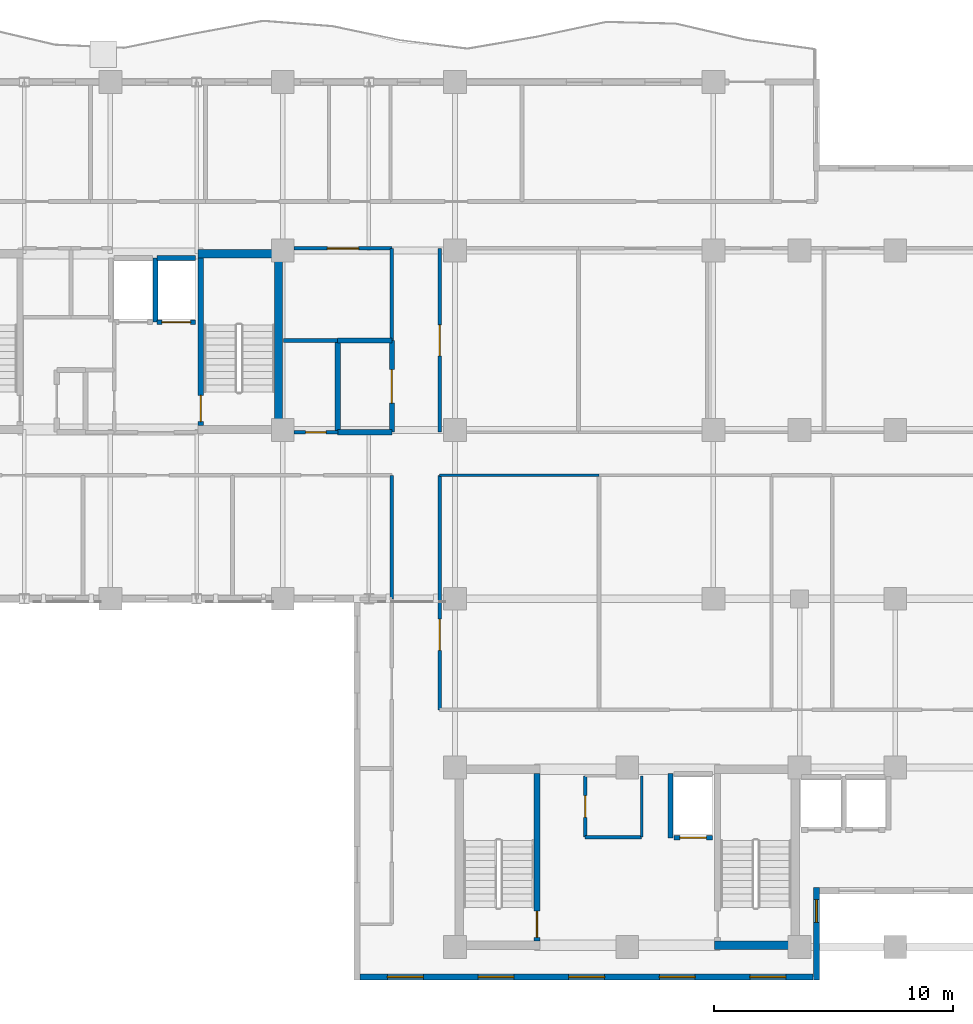
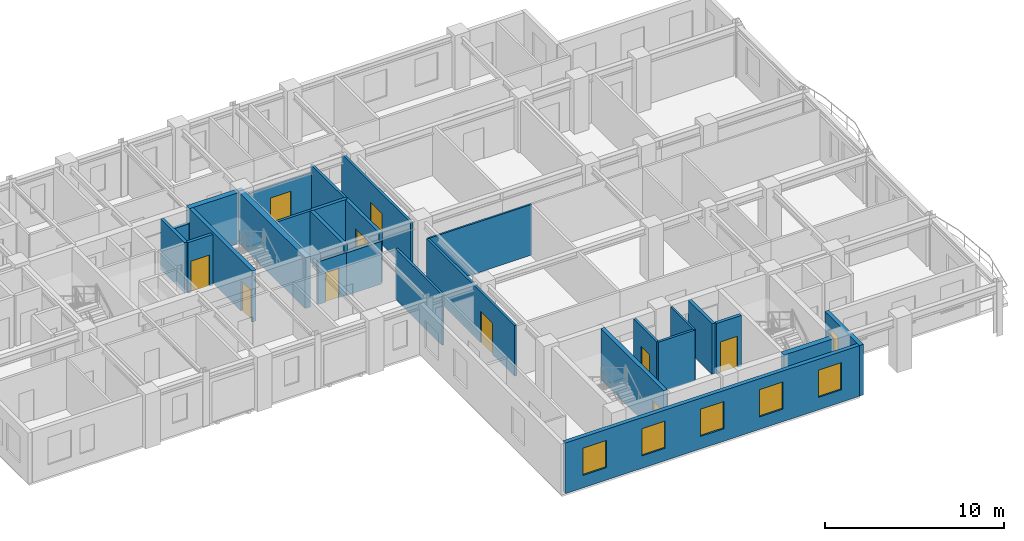
# One storey, part 7 of 14: 27 walls, 10 doors, 6 windows, 16 openings.
"""IFC4 building model written with IfcOpenShell, lengths in metres."""

from ifc_helpers import new_model, si_unit, direction, frame, frame_2d, origin, place, context, subcontext, project, spatial, rectangle, extrude, material, layer, layer_set, type_object, element, fill, save


model = new_model("IFC4")

# Units and contexts
model_context = context("Model", 3, precision=1e-05, world=origin(), true_north=direction((0.0, 1.0)))
body_context = subcontext(model_context, "Body", "Model", "MODEL_VIEW")
ifc_project = project(units=[si_unit("LENGTHUNIT", "METRE"), si_unit("AREAUNIT", "SQUARE_METRE"), si_unit("VOLUMEUNIT", "CUBIC_METRE"), si_unit("PLANEANGLEUNIT", "RADIAN"), si_unit("MASSUNIT", "GRAM", prefix="KILO")], contexts=[model_context])

# Site, building, storey
site_placement = place(None, origin())
site = spatial("IfcSite", under=ifc_project, at=site_placement, CompositionType="ELEMENT")
building_placement = place(site_placement, origin())
building = spatial("IfcBuilding", under=site, at=building_placement, Name="Kaliganga Portal Commons", CompositionType="ELEMENT")
storey_placement = place(building_placement, frame((0.0, 0.0, 227.699951171875)))
storey = spatial("IfcBuildingStorey", under=building, at=storey_placement, Name="L58", CompositionType="ELEMENT", Elevation=227.699951171875)

# Walls
ifc_material_1 = material(Name="Concrete C50/60", Category="concrete")
ifc_layer_1 = layer(ifc_material_1, 0.35009765625)
ifc_layer_set_1 = layer_set([ifc_layer_1], Name="Concrete C50/60")
wall_type_1 = type_object("IfcWallType", Name="WL-CORE-350", PredefinedType="SHEAR", material=ifc_layer_set_1)
wall_1_placement = place(storey_placement, frame((28.625, 28.5, 0.0), z_axis=(0.0, 0.0, 1.0), x_axis=(0.0, 1.0, 0.0)))
element("IfcWall", 1, at=wall_1_placement, inside=storey, type_object=wall_type_1, Name="Core A East Shear Wall L58", PredefinedType="SHEAR", context=body_context, shape_type="SweptSolid", body=[
    extrude(rectangle(XDim=7.699951171875, YDim=0.35009765625, at=frame_2d((3.85009765625, 0.0))), origin(), (0.0, 0.0, 1.0), 3.469970703125),
])
for number, where, z_axis, x_axis, name in (
    (2, (25.25, 36.02490234375, 0.0), (0.0, 0.0, 1.0), (1.0, 0.0, 0.0), "Core A N-East Shear Wall L58"),
    (3, (46.85009765625, 7.125, 0.0), (0.0, 0.0, 1.0), (1.0, 0.0, 0.0), "Core B S-East Shear Wall L58"),
):
    element("IfcWall", number, at=place(storey_placement, frame(where, z_axis=z_axis, x_axis=x_axis)), inside=storey, type_object=wall_type_1, Name=name, PredefinedType="SHEAR", context=body_context, shape_type="SweptSolid", body=[
        extrude(rectangle(XDim=3.199951171875, YDim=0.35009765625, at=frame_2d((1.60009765625, 0.0))), origin(), (0.0, 0.0, 1.0), 3.469970703125),
    ])

# Wall, openings, windows
ifc_material_2 = material(Name="Insulated Aluminium-Clad Spandrel Assembly", Category="aluminium")
ifc_layer_2 = layer(ifc_material_2, 0.260009765625)
ifc_layer_set_2 = layer_set([ifc_layer_2], Name="Insulated Aluminium-Clad Spandrel Assembly")
wall_type_2 = type_object("IfcWallType", Name="WL-EXT-SPAND-260", PredefinedType="STANDARD", material=ifc_layer_set_2)
wall_2_placement = place(storey_placement, frame((50.965087890625, 5.800048828125, 0.0), z_axis=(0.0, 0.0, 1.0), x_axis=(-1.0, 0.0, 0.0)))
wall_2 = element("IfcWall", 4, at=wall_2_placement, inside=storey, type_object=wall_type_2, Name="Exterior Envelope Wall L58 P1-E00-S1", PredefinedType="STANDARD", context=body_context, shape_type="SweptSolid", body=[
    extrude(rectangle(XDim=18.93017578125, YDim=0.260009765625, at=frame_2d((9.465087890625, 0.0))), origin(), (0.0, 0.0, 1.0), 3.449951171875),
])
opening_1_placement = place(wall_2_placement, frame((1.14306640625, 0.0, 0.85009765625)))
opening_1 = element("IfcOpeningElement", 5, at=opening_1_placement, cuts=wall_2, Name="Opening W-02", PredefinedType="OPENING", context=body_context, shape_type="SweptSolid", body=[
    extrude(rectangle(XDim=1.5, YDim=1.85009765625, at=frame_2d((0.75, 0.925048828125))), frame((0.0, 0.14013671875, 0.0), z_axis=(0.0, -1.0, 0.0), x_axis=(1.0, 0.0, 0.0)), (0.0, 0.0, 1.0), 0.280029296875),
])
opening_2_placement = place(wall_2_placement, frame((4.928955078125, 0.0, 0.85009765625)))
opening_2 = element("IfcOpeningElement", 6, at=opening_2_placement, cuts=wall_2, Name="Opening W-02", PredefinedType="OPENING", context=body_context, shape_type="SweptSolid", body=[
    extrude(rectangle(XDim=1.5, YDim=1.85009765625, at=frame_2d((0.75, 0.925048828125))), frame((0.0, 0.14013671875, 0.0), z_axis=(0.0, -1.0, 0.0), x_axis=(1.0, 0.0, 0.0)), (0.0, 0.0, 1.0), 0.280029296875),
])
opening_3_placement = place(wall_2_placement, frame((8.715087890625, 0.0, 0.85009765625)))
opening_3 = element("IfcOpeningElement", 7, at=opening_3_placement, cuts=wall_2, Name="Opening W-02", PredefinedType="OPENING", context=body_context, shape_type="SweptSolid", body=[
    extrude(rectangle(XDim=1.5, YDim=1.85009765625, at=frame_2d((0.75, 0.925048828125))), frame((0.0, 0.14013671875, 0.0), z_axis=(0.0, -1.0, 0.0), x_axis=(1.0, 0.0, 0.0)), (0.0, 0.0, 1.0), 0.280029296875),
])
opening_4_placement = place(wall_2_placement, frame((12.5009765625, 0.0, 0.85009765625)))
opening_4 = element("IfcOpeningElement", 8, at=opening_4_placement, cuts=wall_2, Name="Opening W-02", PredefinedType="OPENING", context=body_context, shape_type="SweptSolid", body=[
    extrude(rectangle(XDim=1.5, YDim=1.85009765625, at=frame_2d((0.75, 0.925048828125))), frame((0.0, 0.14013671875, 0.0), z_axis=(0.0, -1.0, 0.0), x_axis=(1.0, 0.0, 0.0)), (0.0, 0.0, 1.0), 0.280029296875),
])
opening_5_placement = place(wall_2_placement, frame((16.287109375, 0.0, 0.85009765625)))
opening_5 = element("IfcOpeningElement", 9, at=opening_5_placement, cuts=wall_2, Name="Opening W-02", PredefinedType="OPENING", context=body_context, shape_type="SweptSolid", body=[
    extrude(rectangle(XDim=1.5, YDim=1.85009765625, at=frame_2d((0.75, 0.925048828125))), frame((0.0, 0.14013671875, 0.0), z_axis=(0.0, -1.0, 0.0), x_axis=(1.0, 0.0, 0.0)), (0.0, 0.0, 1.0), 0.280029296875),
])
ifc_material_3 = material(Name="Thermally Broken Aluminium and Low-E Double Glazing", Category="aluminium")
window_type_1 = type_object("IfcWindowType", Name="WIN-STD-1500", PartitioningType="DOUBLE_PANEL_VERTICAL", PredefinedType="WINDOW", material=ifc_material_3)
window_1_placement = place(opening_1_placement, origin())
window_1 = element("IfcWindow", 10, at=window_1_placement, inside=storey, type_object=window_type_1, Name="Facade Window L58-P1E00S1-00", OverallHeight=1.85009765625, OverallWidth=1.5, PartitioningType="SINGLE_PANEL", PredefinedType="WINDOW", context=body_context, shape_type="SweptSolid", body=[
    extrude(rectangle(XDim=1.5, YDim=1.85009765625, at=frame_2d((0.75, 0.925048828125))), frame((0.0, 0.030029296875, 0.0), z_axis=(0.0, -1.0, 0.0), x_axis=(1.0, 0.0, 0.0)), (0.0, 0.0, 1.0), 0.06005859375),
])
fill(opening_1, window_1)
window_2_placement = place(opening_2_placement, origin())
window_2 = element("IfcWindow", 11, at=window_2_placement, inside=storey, type_object=window_type_1, Name="Facade Window L58-P1E00S1-01", OverallHeight=1.85009765625, OverallWidth=1.5, PartitioningType="SINGLE_PANEL", PredefinedType="WINDOW", context=body_context, shape_type="SweptSolid", body=[
    extrude(rectangle(XDim=1.5, YDim=1.85009765625, at=frame_2d((0.75, 0.925048828125))), frame((0.0, 0.030029296875, 0.0), z_axis=(0.0, -1.0, 0.0), x_axis=(1.0, 0.0, 0.0)), (0.0, 0.0, 1.0), 0.06005859375),
])
fill(opening_2, window_2)
window_3_placement = place(opening_3_placement, origin())
window_3 = element("IfcWindow", 12, at=window_3_placement, inside=storey, type_object=window_type_1, Name="Facade Window L58-P1E00S1-02", OverallHeight=1.85009765625, OverallWidth=1.5, PartitioningType="SINGLE_PANEL", PredefinedType="WINDOW", context=body_context, shape_type="SweptSolid", body=[
    extrude(rectangle(XDim=1.5, YDim=1.85009765625, at=frame_2d((0.75, 0.925048828125))), frame((0.0, 0.030029296875, 0.0), z_axis=(0.0, -1.0, 0.0), x_axis=(1.0, 0.0, 0.0)), (0.0, 0.0, 1.0), 0.06005859375),
])
fill(opening_3, window_3)
window_4_placement = place(opening_4_placement, origin())
window_4 = element("IfcWindow", 13, at=window_4_placement, inside=storey, type_object=window_type_1, Name="Facade Window L58-P1E00S1-03", OverallHeight=1.85009765625, OverallWidth=1.5, PartitioningType="SINGLE_PANEL", PredefinedType="WINDOW", context=body_context, shape_type="SweptSolid", body=[
    extrude(rectangle(XDim=1.5, YDim=1.85009765625, at=frame_2d((0.75, 0.925048828125))), frame((0.0, 0.030029296875, 0.0), z_axis=(0.0, -1.0, 0.0), x_axis=(1.0, 0.0, 0.0)), (0.0, 0.0, 1.0), 0.06005859375),
])
fill(opening_4, window_4)
window_5_placement = place(opening_5_placement, origin())
window_5 = element("IfcWindow", 14, at=window_5_placement, inside=storey, type_object=window_type_1, Name="Facade Window L58-P1E00S1-04", OverallHeight=1.85009765625, OverallWidth=1.5, PartitioningType="SINGLE_PANEL", PredefinedType="WINDOW", context=body_context, shape_type="SweptSolid", body=[
    extrude(rectangle(XDim=1.5, YDim=1.85009765625, at=frame_2d((0.75, 0.925048828125))), frame((0.0, 0.030029296875, 0.0), z_axis=(0.0, -1.0, 0.0), x_axis=(1.0, 0.0, 0.0)), (0.0, 0.0, 1.0), 0.06005859375),
])
fill(opening_5, window_5)

# Wall, opening, window
wall_3_placement = place(storey_placement, frame((51.10009765625, 9.530029296875, 0.0), z_axis=(0.0, 0.0, 1.0), x_axis=(0.0, -1.0, 0.0)))
wall_3 = element("IfcWall", 15, at=wall_3_placement, inside=storey, type_object=wall_type_2, Name="Exterior Envelope Wall L58 P1-E01-S1", PredefinedType="STANDARD", context=body_context, shape_type="SweptSolid", body=[
    extrude(rectangle(XDim=3.860107421875, YDim=0.260009765625, at=frame_2d((1.93017578125, 0.0))), origin(), (0.0, 0.0, 1.0), 3.449951171875),
])
opening_6_placement = place(wall_3_placement, frame((0.497802734375, 0.0, 0.85009765625)))
opening_6 = element("IfcOpeningElement", 16, at=opening_6_placement, cuts=wall_3, Name="Opening W-04", PredefinedType="OPENING", context=body_context, shape_type="SweptSolid", body=[
    extrude(rectangle(XDim=0.949951171875, YDim=1.75, at=frame_2d((0.47509765625, 0.875))), frame((0.0, 0.14013671875, 0.0), z_axis=(0.0, -1.0, 0.0), x_axis=(1.0, 0.0, 0.0)), (0.0, 0.0, 1.0), 0.280029296875),
])
window_type_2 = type_object("IfcWindowType", Name="WIN-NARROW-950", PartitioningType="SINGLE_PANEL", PredefinedType="WINDOW", material=ifc_material_3)
window_6_placement = place(opening_6_placement, origin())
window_6 = element("IfcWindow", 17, at=window_6_placement, inside=storey, type_object=window_type_2, Name="Facade Window L58-P1E01S1-N1", OverallHeight=1.75, OverallWidth=0.949951171875, PartitioningType="SINGLE_PANEL", PredefinedType="WINDOW", context=body_context, shape_type="SweptSolid", body=[
    extrude(rectangle(XDim=0.949951171875, YDim=1.75, at=frame_2d((0.47509765625, 0.875))), frame((0.0, 0.030029296875, 0.0), z_axis=(0.0, -1.0, 0.0), x_axis=(1.0, 0.0, 0.0)), (0.0, 0.0, 1.0), 0.06005859375),
])
fill(opening_6, window_6)

# Wall, opening, door
ifc_material_4 = material(Name="Fire-Rated Gypsum Board on Steel Stud", Category="steel")
ifc_layer_3 = layer(ifc_material_4, 0.14990234375)
ifc_layer_set_3 = layer_set([ifc_layer_3], Name="Fire-Rated Gypsum Board on Steel Stud")
wall_type_3 = type_object("IfcWallType", Name="WL-PART-CORR-150", PredefinedType="PARTITIONING", material=ifc_layer_set_3)
wall_4_placement = place(storey_placement, frame((35.360107421875, 16.9599609375, 0.0), z_axis=(0.0, 0.0, 1.0), x_axis=(0.0, 1.0, 0.0)))
wall_4 = element("IfcWall", 18, at=wall_4_placement, inside=storey, type_object=wall_type_3, Name="Interior Partition L58-002", PredefinedType="PARTITIONING", context=body_context, shape_type="SweptSolid", body=[
    extrude(rectangle(XDim=9.800048828125, YDim=0.14990234375, at=frame_2d((4.89990234375, 0.0))), origin(), (0.0, 0.0, 1.0), 3.449951171875),
])
opening_7_placement = place(wall_4_placement, frame((2.486083984375, 0.0, 0.0)))
opening_7 = element("IfcOpeningElement", 19, at=opening_7_placement, cuts=wall_4, Name="Opening RD-03", PredefinedType="OPENING", context=body_context, shape_type="SweptSolid", body=[
    extrude(rectangle(XDim=1.300048828125, YDim=2.1201171875, at=frame_2d((0.64990234375, 1.06005859375))), frame((0.0, 0.0849609375, 0.0), z_axis=(0.0, -1.0, 0.0), x_axis=(1.0, 0.0, 0.0)), (0.0, 0.0, 1.0), 0.169921875),
])
ifc_material_5 = material(Name="Glazed Timber Seminar Vision Door", Category="wood")
door_type_1 = type_object("IfcDoorType", Name="DR-STUDY-1300", OperationType="DOUBLE_DOOR_SINGLE_SWING", PredefinedType="DOOR", material=ifc_material_5)
door_1_placement = place(opening_7_placement, origin())
door_1 = element("IfcDoor", 20, at=door_1_placement, inside=storey, type_object=door_type_1, Name="Interior Door L58-BM01", OperationType="DOUBLE_DOOR_SINGLE_SWING", OverallHeight=2.1201171875, OverallWidth=1.300048828125, PredefinedType="DOOR", context=body_context, shape_type="SweptSolid", body=[
    extrude(rectangle(XDim=1.300048828125, YDim=2.1201171875, at=frame_2d((0.64990234375, 1.06005859375))), frame((0.0, 0.02490234375, 0.0), z_axis=(0.0, -1.0, 0.0), x_axis=(1.0, 0.0, 0.0)), (0.0, 0.0, 1.0), 0.050048828125),
])
fill(opening_7, door_1)

wall_5_placement = place(storey_placement, frame((35.360107421875, 28.56005859375, 0.0), z_axis=(0.0, 0.0, 1.0), x_axis=(0.0, 1.0, 0.0)))
wall_5 = element("IfcWall", 21, at=wall_5_placement, inside=storey, type_object=wall_type_3, Name="Interior Partition L58-006", PredefinedType="PARTITIONING", context=body_context, shape_type="SweptSolid", body=[
    extrude(rectangle(XDim=7.679931640625, YDim=0.14990234375, at=frame_2d((3.83984375, 0.0))), origin(), (0.0, 0.0, 1.0), 3.449951171875),
])
opening_8_placement = place(wall_5_placement, frame((3.18994140625, 0.0, 0.0)))
opening_8 = element("IfcOpeningElement", 22, at=opening_8_placement, cuts=wall_5, Name="Opening RD-03", PredefinedType="OPENING", context=body_context, shape_type="SweptSolid", body=[
    extrude(rectangle(XDim=1.300048828125, YDim=2.1201171875, at=frame_2d((0.64990234375, 1.06005859375))), frame((0.0, 0.0849609375, 0.0), z_axis=(0.0, -1.0, 0.0), x_axis=(1.0, 0.0, 0.0)), (0.0, 0.0, 1.0), 0.169921875),
])
door_2_placement = place(opening_8_placement, origin())
door_2 = element("IfcDoor", 23, at=door_2_placement, inside=storey, type_object=door_type_1, Name="Interior Door L58-BK01", OperationType="DOUBLE_DOOR_SINGLE_SWING", OverallHeight=2.1201171875, OverallWidth=1.300048828125, PredefinedType="DOOR", context=body_context, shape_type="SweptSolid", body=[
    extrude(rectangle(XDim=1.300048828125, YDim=2.1201171875, at=frame_2d((0.64990234375, 1.06005859375))), frame((0.0, 0.02490234375, 0.0), z_axis=(0.0, -1.0, 0.0), x_axis=(1.0, 0.0, 0.0)), (0.0, 0.0, 1.0), 0.050048828125),
])
fill(opening_8, door_2)

# Wall
wall_6_placement = place(storey_placement, frame((33.360107421875, 21.60009765625, 0.0), z_axis=(0.0, 0.0, 1.0), x_axis=(0.0, 1.0, 0.0)))
element("IfcWall", 24, at=wall_6_placement, inside=storey, type_object=wall_type_3, Name="Interior Partition L58-019", PredefinedType="PARTITIONING", context=body_context, shape_type="SweptSolid", body=[
    extrude(rectangle(XDim=5.159912109375, YDim=0.14990234375, at=frame_2d((2.580078125, 0.0))), origin(), (0.0, 0.0, 1.0), 3.449951171875),
])

# Wall, opening, door
wall_7_placement = place(storey_placement, frame((29.27490234375, 36.239990234375, 0.0), z_axis=(0.0, 0.0, 1.0), x_axis=(1.0, 0.0, 0.0)))
wall_7 = element("IfcWall", 25, at=wall_7_placement, inside=storey, type_object=wall_type_3, Name="Interior Partition L58-023", PredefinedType="PARTITIONING", context=body_context, shape_type="SweptSolid", body=[
    extrude(rectangle(XDim=4.085205078125, YDim=0.14990234375, at=frame_2d((2.04248046875, 0.0))), origin(), (0.0, 0.0, 1.0), 2.900146484375),
])
opening_9_placement = place(wall_7_placement, frame((1.392578125, 0.0, 0.0)))
opening_9 = element("IfcOpeningElement", 26, at=opening_9_placement, cuts=wall_7, Name="Opening RD-03", PredefinedType="OPENING", context=body_context, shape_type="SweptSolid", body=[
    extrude(rectangle(XDim=1.300048828125, YDim=2.1201171875, at=frame_2d((0.64990234375, 1.06005859375))), frame((0.0, 0.0849609375, 0.0), z_axis=(0.0, -1.0, 0.0), x_axis=(1.0, 0.0, 0.0)), (0.0, 0.0, 1.0), 0.169921875),
])
door_3_placement = place(opening_9_placement, origin())
door_3 = element("IfcDoor", 27, at=door_3_placement, inside=storey, type_object=door_type_1, Name="Interior Door L58-CSRV_A2", OperationType="DOUBLE_DOOR_SINGLE_SWING", OverallHeight=2.1201171875, OverallWidth=1.300048828125, PredefinedType="DOOR", context=body_context, shape_type="SweptSolid", body=[
    extrude(rectangle(XDim=1.300048828125, YDim=2.1201171875, at=frame_2d((0.64990234375, 1.06005859375))), frame((0.0, 0.02490234375, 0.0), z_axis=(0.0, -1.0, 0.0), x_axis=(1.0, 0.0, 0.0)), (0.0, 0.0, 1.0), 0.050048828125),
])
fill(opening_9, door_3)

# Wall
wall_8_placement = place(storey_placement, frame((33.360107421875, 32.39990234375, 0.0), z_axis=(0.0, 0.0, 1.0), x_axis=(0.0, 1.0, 0.0)))
element("IfcWall", 28, at=wall_8_placement, inside=storey, type_object=wall_type_3, Name="Interior Partition L58-025", PredefinedType="PARTITIONING", context=body_context, shape_type="SweptSolid", body=[
    extrude(rectangle(XDim=3.840087890625, YDim=0.14990234375, at=frame_2d((1.919921875, 0.0))), origin(), (0.0, 0.0, 1.0), 3.449951171875),
])

# Wall, opening, door
wall_9_placement = place(storey_placement, frame((41.43994140625, 11.639892578125, 0.0), z_axis=(0.0, 0.0, 1.0), x_axis=(0.0, 1.0, 0.0)))
wall_9 = element("IfcWall", 29, at=wall_9_placement, inside=storey, type_object=wall_type_3, Name="Interior Partition L58-030", PredefinedType="PARTITIONING", context=body_context, shape_type="SweptSolid", body=[
    extrude(rectangle(XDim=2.56005859375, YDim=0.14990234375, at=frame_2d((1.280029296875, 0.0))), origin(), (0.0, 0.0, 1.0), 3.449951171875),
])
opening_10_placement = place(wall_9_placement, frame((0.830078125, 0.0, 0.0)))
opening_10 = element("IfcOpeningElement", 30, at=opening_10_placement, cuts=wall_9, Name="Opening RD-01", PredefinedType="OPENING", context=body_context, shape_type="SweptSolid", body=[
    extrude(rectangle(XDim=0.89990234375, YDim=2.080078125, at=frame_2d((0.449951171875, 1.0400390625))), frame((0.0, 0.0849609375, 0.0), z_axis=(0.0, -1.0, 0.0), x_axis=(1.0, 0.0, 0.0)), (0.0, 0.0, 1.0), 0.169921875),
])
ifc_material_6 = material(Name="Engineered Timber Flush Door", Category="wood")
door_type_2 = type_object("IfcDoorType", Name="DR-ROOM-900", OperationType="NOTDEFINED", PredefinedType="DOOR", material=ifc_material_6)
door_4_placement = place(opening_10_placement, origin())
door_4 = element("IfcDoor", 31, at=door_4_placement, inside=storey, type_object=door_type_2, Name="Interior Door L58-CREC_B1", OperationType="SINGLE_SWING_RIGHT", OverallHeight=2.080078125, OverallWidth=0.89990234375, PredefinedType="DOOR", context=body_context, shape_type="SweptSolid", body=[
    extrude(rectangle(XDim=0.89990234375, YDim=2.080078125, at=frame_2d((0.449951171875, 1.0400390625))), frame((0.0, 0.02490234375, 0.0), z_axis=(0.0, -1.0, 0.0), x_axis=(1.0, 0.0, 0.0)), (0.0, 0.0, 1.0), 0.050048828125),
])
fill(opening_10, door_4)

# Wall
wall_10_placement = place(storey_placement, frame((41.43994140625, 11.639892578125, 0.0), z_axis=(0.0, 0.0, 1.0), x_axis=(1.0, 0.0, 0.0)))
element("IfcWall", 32, at=wall_10_placement, inside=storey, type_object=wall_type_3, Name="Interior Partition L58-033", PredefinedType="PARTITIONING", context=body_context, shape_type="SweptSolid", body=[
    extrude(rectangle(XDim=2.360107421875, YDim=0.14990234375, at=frame_2d((1.18017578125, 0.0))), origin(), (0.0, 0.0, 1.0), 3.449951171875),
])

# Wall, opening, door
wall_11_placement = place(storey_placement, frame((29.27490234375, 28.56005859375, 0.0), z_axis=(0.0, 0.0, 1.0), x_axis=(1.0, 0.0, 0.0)))
wall_11 = element("IfcWall", 33, at=wall_11_placement, inside=storey, type_object=wall_type_3, Name="Interior Partition L58-034", PredefinedType="PARTITIONING", context=body_context, shape_type="SweptSolid", body=[
    extrude(rectangle(XDim=1.8251953125, YDim=0.14990234375, at=frame_2d((0.91259765625, 0.0))), origin(), (0.0, 0.0, 1.0), 2.900146484375),
])
opening_11_placement = place(wall_11_placement, frame((0.482421875, 0.0, 0.0)))
opening_11 = element("IfcOpeningElement", 34, at=opening_11_placement, cuts=wall_11, Name="Opening WD-02", PredefinedType="OPENING", context=body_context, shape_type="SweptSolid", body=[
    extrude(rectangle(XDim=0.860107421875, YDim=2.02001953125, at=frame_2d((0.43017578125, 1.010009765625))), frame((0.0, 0.0849609375, 0.0), z_axis=(0.0, -1.0, 0.0), x_axis=(1.0, 0.0, 0.0)), (0.0, 0.0, 1.0), 0.169921875),
])
ifc_material_7 = material(Name="Fire-Rated Utility Closet Door", Category="wood")
door_type_3 = type_object("IfcDoorType", Name="DR-STORE-800", OperationType="NOTDEFINED", PredefinedType="DOOR", material=ifc_material_7)
door_5_placement = place(opening_11_placement, origin())
door_5 = element("IfcDoor", 35, at=door_5_placement, inside=storey, type_object=door_type_3, Name="Interior Door L58-CSRV_A1", OperationType="SINGLE_SWING_LEFT", OverallHeight=2.02001953125, OverallWidth=0.860107421875, PredefinedType="DOOR", context=body_context, shape_type="SweptSolid", body=[
    extrude(rectangle(XDim=0.860107421875, YDim=2.02001953125, at=frame_2d((0.43017578125, 1.010009765625))), frame((0.0, 0.02490234375, 0.0), z_axis=(0.0, -1.0, 0.0), x_axis=(1.0, 0.0, 0.0)), (0.0, 0.0, 1.0), 0.050048828125),
])
fill(opening_11, door_5)

ifc_material_8 = material(Name="Lightweight blockwork masonry", Category="masonry")
ifc_layer_4 = layer(ifc_material_8, 0.215087890625)
ifc_layer_set_4 = layer_set([ifc_layer_4], Name="Lightweight blockwork masonry")
wall_type_4 = type_object("IfcWallType", Name="WL-PART-PLANT-215", PredefinedType="PARTITIONING", material=ifc_layer_set_4)
wall_12_placement = place(storey_placement, frame((33.360107421875, 28.56005859375, 0.0), z_axis=(0.0, 0.0, 1.0), x_axis=(0.0, 1.0, 0.0)))
wall_12 = element("IfcWall", 36, at=wall_12_placement, inside=storey, type_object=wall_type_4, Name="Interior Partition L58-026", PredefinedType="PARTITIONING", context=body_context, shape_type="SweptSolid", body=[
    extrude(rectangle(XDim=3.83984375, YDim=0.215087890625, at=frame_2d((1.919921875, 0.0))), origin(), (0.0, 0.0, 1.0), 3.449951171875),
])
opening_12_placement = place(wall_12_placement, frame((1.219970703125, 0.0, 0.0)))
opening_12 = element("IfcOpeningElement", 37, at=opening_12_placement, cuts=wall_12, Name="Opening PD-01", PredefinedType="OPENING", context=body_context, shape_type="SweptSolid", body=[
    extrude(rectangle(XDim=1.39990234375, YDim=2.14990234375, at=frame_2d((0.699951171875, 1.074951171875))), frame((0.0, 0.11767578125, 0.0), z_axis=(0.0, -1.0, 0.0), x_axis=(1.0, 0.0, 0.0)), (0.0, 0.0, 1.0), 0.235107421875),
])
ifc_material_9 = material(Name="Heavy-Duty Steel Acoustic Louvre Fire Door", Category="steel")
door_type_4 = type_object("IfcDoorType", Name="DR-PLANT-1400", OperationType="DOUBLE_DOOR_SINGLE_SWING", PredefinedType="DOOR", material=ifc_material_9)
door_6_placement = place(opening_12_placement, origin())
door_6 = element("IfcDoor", 38, at=door_6_placement, inside=storey, type_object=door_type_4, Name="Interior Door L58-CSRV_A3", OperationType="DOUBLE_DOOR_SINGLE_SWING", OverallHeight=2.14990234375, OverallWidth=1.39990234375, PredefinedType="DOOR", context=body_context, shape_type="SweptSolid", body=[
    extrude(rectangle(XDim=1.39990234375, YDim=2.14990234375, at=frame_2d((0.699951171875, 1.074951171875))), frame((0.0, 0.02490234375, 0.0), z_axis=(0.0, -1.0, 0.0), x_axis=(1.0, 0.0, 0.0)), (0.0, 0.0, 1.0), 0.050048828125),
])
fill(opening_12, door_6)

# Walls
wall_13_placement = place(storey_placement, frame((31.10009765625, 28.56005859375, 0.0), z_axis=(0.0, 0.0, 1.0), x_axis=(1.0, 0.0, 0.0)))
element("IfcWall", 39, at=wall_13_placement, inside=storey, type_object=wall_type_4, Name="Interior Partition L58-035", PredefinedType="PARTITIONING", context=body_context, shape_type="SweptSolid", body=[
    extrude(rectangle(XDim=2.260009765625, YDim=0.215087890625, at=frame_2d((1.1298828125, 0.0))), origin(), (0.0, 0.0, 1.0), 2.900146484375),
])
wall_14_placement = place(storey_placement, frame((31.10009765625, 28.56005859375, 0.0), z_axis=(0.0, 0.0, 1.0), x_axis=(0.0, 1.0, 0.0)))
element("IfcWall", 40, at=wall_14_placement, inside=storey, type_object=wall_type_4, Name="Interior Partition L58-072", PredefinedType="PARTITIONING", context=body_context, shape_type="SweptSolid", body=[
    extrude(rectangle(XDim=3.83984375, YDim=0.215087890625, at=frame_2d((1.919921875, 0.0))), origin(), (0.0, 0.0, 1.0), 3.449951171875),
])
wall_15_placement = place(storey_placement, frame((31.10009765625, 32.39990234375, 0.0), z_axis=(0.0, 0.0, 1.0), x_axis=(1.0, 0.0, 0.0)))
element("IfcWall", 41, at=wall_15_placement, inside=storey, type_object=wall_type_4, Name="Interior Partition L58-080", PredefinedType="PARTITIONING", context=body_context, shape_type="SweptSolid", body=[
    extrude(rectangle(XDim=2.260009765625, YDim=0.215087890625, at=frame_2d((1.1298828125, 0.0))), origin(), (0.0, 0.0, 1.0), 3.449951171875),
])
ifc_material_10 = material(Name="Moisture-Resistant Gypsum Partition", Category="gypsum")
ifc_layer_5 = layer(ifc_material_10, 0.114990234375)
ifc_layer_set_5 = layer_set([ifc_layer_5], Name="Moisture-Resistant Gypsum Partition")
wall_type_5 = type_object("IfcWallType", Name="WL-PART-ROOM-115", PredefinedType="PARTITIONING", material=ifc_layer_set_5)
wall_16_placement = place(storey_placement, frame((35.360107421875, 26.760009765625, 0.0), z_axis=(0.0, 0.0, 1.0), x_axis=(1.0, 0.0, 0.0)))
element("IfcWall", 42, at=wall_16_placement, inside=storey, type_object=wall_type_5, Name="Interior Partition L58-055", PredefinedType="PARTITIONING", context=body_context, shape_type="SweptSolid", body=[
    extrude(rectangle(XDim=6.659912109375, YDim=0.114990234375, at=frame_2d((3.330078125, 0.0))), origin(), (0.0, 0.0, 1.0), 3.449951171875),
])
wall_17_placement = place(storey_placement, frame((43.800048828125, 11.639892578125, 0.0), z_axis=(0.0, 0.0, 1.0), x_axis=(0.0, 1.0, 0.0)))
element("IfcWall", 43, at=wall_17_placement, inside=storey, type_object=wall_type_5, Name="Interior Partition L58-076", PredefinedType="PARTITIONING", context=body_context, shape_type="SweptSolid", body=[
    extrude(rectangle(XDim=2.56005859375, YDim=0.114990234375, at=frame_2d((1.280029296875, 0.0))), origin(), (0.0, 0.0, 1.0), 3.449951171875),
])
ifc_material_11 = material(Name="Twin-Stud Acoustic Gypsum Partition", Category="gypsum")
ifc_layer_6 = layer(ifc_material_11, 0.1650390625)
ifc_layer_set_6 = layer_set([ifc_layer_6], Name="Twin-Stud Acoustic Gypsum Partition")
wall_type_6 = type_object("IfcWallType", Name="WL-PART-UNIT-165", PredefinedType="PARTITIONING", material=ifc_layer_set_6)
wall_18_placement = place(storey_placement, frame((28.840087890625, 32.39990234375, 0.0), z_axis=(0.0, 0.0, 1.0), x_axis=(1.0, 0.0, 0.0)))
element("IfcWall", 44, at=wall_18_placement, inside=storey, type_object=wall_type_6, Name="Interior Partition L58-079", PredefinedType="PARTITIONING", context=body_context, shape_type="SweptSolid", body=[
    extrude(rectangle(XDim=2.260009765625, YDim=0.1650390625, at=frame_2d((1.1298828125, 0.0))), origin(), (0.0, 0.0, 1.0), 3.449951171875),
])
ifc_material_12 = material(Name="Fire-Rated Shaftwall Masonry Assembly", Category="masonry")
ifc_layer_7 = layer(ifc_material_12, 0.199951171875)
ifc_layer_set_7 = layer_set([ifc_layer_7], Name="Fire-Rated Shaftwall Masonry Assembly")
wall_type_7 = type_object("IfcWallType", Name="WL-SHAFT-200", PredefinedType="PARTITIONING", material=ifc_layer_set_7)
wall_19_placement = place(storey_placement, frame((23.489990234375, 33.159912109375, 0.0), z_axis=(0.0, 0.0, 1.0), x_axis=(0.0, 1.0, 0.0)))
element("IfcWall", 45, at=wall_19_placement, inside=storey, type_object=wall_type_7, Name="Lift FFL-1 Hoistway Shaft Wall L58-E", PredefinedType="PARTITIONING", context=body_context, shape_type="SweptSolid", body=[
    extrude(rectangle(XDim=2.68017578125, YDim=0.199951171875, at=frame_2d((1.340087890625, 0.0))), origin(), (0.0, 0.0, 1.0), 3.449951171875),
])

# Wall, opening, door
wall_20_placement = place(storey_placement, frame((23.550048828125, 33.159912109375, 0.0), z_axis=(0.0, 0.0, 1.0), x_axis=(1.0, 0.0, 0.0)))
wall_20 = element("IfcWall", 46, at=wall_20_placement, inside=storey, type_object=wall_type_7, Name="Lift FFL-2 Hoistway Shaft Wall L58-S", PredefinedType="PARTITIONING", context=body_context, shape_type="SweptSolid", body=[
    extrude(rectangle(XDim=1.599853515625, YDim=0.199951171875, at=frame_2d((0.7998046875, 0.0))), origin(), (0.0, 0.0, 1.0), 3.449951171875),
])
opening_13_placement = place(wall_20_placement, frame((0.199951171875, 0.0, 0.0)))
opening_13 = element("IfcOpeningElement", 47, at=opening_13_placement, cuts=wall_20, Name="Opening LD-02", PredefinedType="OPENING", context=body_context, shape_type="SweptSolid", body=[
    extrude(rectangle(XDim=1.199951171875, YDim=2.1201171875, at=frame_2d((0.60009765625, 1.06005859375))), frame((0.0, 0.10986328125, 0.0), z_axis=(0.0, -1.0, 0.0), x_axis=(1.0, 0.0, 0.0)), (0.0, 0.0, 1.0), 0.219970703125),
])
ifc_material_13 = material(Name="Brushed Stainless Steel 316 Stretcher Lift Landing Door", Category="steel")
door_type_5 = type_object("IfcDoorType", Name="DR-LIFT-1200", OperationType="SLIDING_TO_RIGHT", PredefinedType="DOOR", material=ifc_material_13)
door_7_placement = place(opening_13_placement, origin())
door_7 = element("IfcDoor", 48, at=door_7_placement, inside=storey, type_object=door_type_5, Name="Lift FFL-2 Sliding Landing Door L58", OperationType="SLIDING_TO_RIGHT", OverallHeight=2.1201171875, OverallWidth=1.199951171875, PredefinedType="DOOR", context=body_context, shape_type="SweptSolid", body=[
    extrude(rectangle(XDim=1.199951171875, YDim=2.1201171875, at=frame_2d((0.60009765625, 1.06005859375))), frame((0.0, 0.02490234375, 0.0), z_axis=(0.0, -1.0, 0.0), x_axis=(1.0, 0.0, 0.0)), (0.0, 0.0, 1.0), 0.050048828125),
])
fill(opening_13, door_7)

# Wall
wall_21_placement = place(storey_placement, frame((23.550048828125, 35.840087890625, 0.0), z_axis=(0.0, 0.0, 1.0), x_axis=(1.0, 0.0, 0.0)))
element("IfcWall", 49, at=wall_21_placement, inside=storey, type_object=wall_type_7, Name="Lift FFL-2 Hoistway Shaft Wall L58-N", PredefinedType="PARTITIONING", context=body_context, shape_type="SweptSolid", body=[
    extrude(rectangle(XDim=1.599853515625, YDim=0.199951171875, at=frame_2d((0.7998046875, 0.0))), origin(), (0.0, 0.0, 1.0), 2.550048828125),
])

# Wall, opening, door
wall_22_placement = place(storey_placement, frame((45.14990234375, 11.610107421875, 0.0), z_axis=(0.0, 0.0, 1.0), x_axis=(1.0, 0.0, 0.0)))
wall_22 = element("IfcWall", 50, at=wall_22_placement, inside=storey, type_object=wall_type_7, Name="Lift SL-B1 Hoistway Shaft Wall L58-S", PredefinedType="PARTITIONING", context=body_context, shape_type="SweptSolid", body=[
    extrude(rectangle(XDim=1.60009765625, YDim=0.199951171875, at=frame_2d((0.800048828125, 0.0))), origin(), (0.0, 0.0, 1.0), 3.449951171875),
])
opening_14_placement = place(wall_22_placement, frame((0.25, 0.0, 0.0)))
opening_14 = element("IfcOpeningElement", 51, at=opening_14_placement, cuts=wall_22, Name="Opening LD-01", PredefinedType="OPENING", context=body_context, shape_type="SweptSolid", body=[
    extrude(rectangle(XDim=1.10009765625, YDim=2.1201171875, at=frame_2d((0.550048828125, 1.06005859375))), frame((0.0, 0.10986328125, 0.0), z_axis=(0.0, -1.0, 0.0), x_axis=(1.0, 0.0, 0.0)), (0.0, 0.0, 1.0), 0.219970703125),
])
ifc_material_14 = material(Name="Brushed Stainless Steel 316 Lift Landing Door", Category="steel")
door_type_6 = type_object("IfcDoorType", Name="DR-LIFT-1100", OperationType="SLIDING_TO_LEFT", PredefinedType="DOOR", material=ifc_material_14)
door_8_placement = place(opening_14_placement, origin())
door_8 = element("IfcDoor", 52, at=door_8_placement, inside=storey, type_object=door_type_6, Name="Lift SL-B1 Sliding Landing Door L58", OperationType="SLIDING_TO_LEFT", OverallHeight=2.1201171875, OverallWidth=1.10009765625, PredefinedType="DOOR", context=body_context, shape_type="SweptSolid", body=[
    extrude(rectangle(XDim=1.10009765625, YDim=2.1201171875, at=frame_2d((0.550048828125, 1.06005859375))), frame((0.0, 0.02490234375, 0.0), z_axis=(0.0, -1.0, 0.0), x_axis=(1.0, 0.0, 0.0)), (0.0, 0.0, 1.0), 0.050048828125),
])
fill(opening_14, door_8)

# Wall
wall_23_placement = place(storey_placement, frame((45.010009765625, 11.610107421875, 0.0), z_axis=(0.0, 0.0, 1.0), x_axis=(0.0, 1.0, 0.0)))
element("IfcWall", 53, at=wall_23_placement, inside=storey, type_object=wall_type_7, Name="Lift SL-B1 Hoistway Shaft Wall L58-W", PredefinedType="PARTITIONING", context=body_context, shape_type="SweptSolid", body=[
    extrude(rectangle(XDim=2.679931640625, YDim=0.199951171875, at=frame_2d((1.33984375, 0.0))), origin(), (0.0, 0.0, 1.0), 3.449951171875),
])

# Wall, opening, door
ifc_layer_8 = layer(ifc_material_1, 0.25)
ifc_layer_set_8 = layer_set([ifc_layer_8], Name="Concrete C50/60")
wall_type_8 = type_object("IfcWallType", Name="WL-STAIR-250", PredefinedType="SHEAR", material=ifc_layer_set_8)
wall_24_placement = place(storey_placement, frame((25.375, 28.85009765625, 0.0), z_axis=(0.0, 0.0, 1.0), x_axis=(0.0, 1.0, 0.0)))
wall_24 = element("IfcWall", 54, at=wall_24_placement, inside=storey, type_object=wall_type_8, Name="Stair A2 Enclosure Shear Wall L58", PredefinedType="SHEAR", context=body_context, shape_type="SweptSolid", body=[
    extrude(rectangle(XDim=7.0, YDim=0.25, at=frame_2d((3.5, 0.0))), origin(), (0.0, 0.0, 1.0), 3.469970703125),
])
opening_15_placement = place(wall_24_placement, frame((0.14990234375, 0.0, 0.0)))
opening_15 = element("IfcOpeningElement", 55, at=opening_15_placement, cuts=wall_24, Name="Opening SD-01", PredefinedType="OPENING", context=body_context, shape_type="SweptSolid", body=[
    extrude(rectangle(XDim=1.10009765625, YDim=2.080078125, at=frame_2d((0.550048828125, 1.0400390625))), frame((0.0, 0.135009765625, 0.0), z_axis=(0.0, -1.0, 0.0), x_axis=(1.0, 0.0, 0.0)), (0.0, 0.0, 1.0), 0.27001953125),
])
ifc_material_15 = material(Name="Galvanized Steel Fire Door Leaf and Frame", Category="steel")
door_type_7 = type_object("IfcDoorType", Name="DR-STAIR-1100", OperationType="NOTDEFINED", PredefinedType="DOOR", material=ifc_material_15)
door_9_placement = place(opening_15_placement, origin())
door_9 = element("IfcDoor", 56, at=door_9_placement, inside=storey, type_object=door_type_7, Name="Protected Stair ST-A2 Fire Door L58", OperationType="SINGLE_SWING_LEFT", OverallHeight=2.080078125, OverallWidth=1.10009765625, PredefinedType="DOOR", context=body_context, shape_type="SweptSolid", body=[
    extrude(rectangle(XDim=1.10009765625, YDim=2.080078125, at=frame_2d((0.550048828125, 1.0400390625))), frame((0.0, 0.02490234375, 0.0), z_axis=(0.0, -1.0, 0.0), x_axis=(1.0, 0.0, 0.0)), (0.0, 0.0, 1.0), 0.050048828125),
])
fill(opening_15, door_9)

wall_25_placement = place(storey_placement, frame((39.425048828125, 7.300048828125, 0.0), z_axis=(0.0, 0.0, 1.0), x_axis=(0.0, 1.0, 0.0)))
wall_25 = element("IfcWall", 57, at=wall_25_placement, inside=storey, type_object=wall_type_8, Name="Stair B1 Enclosure Shear Wall L58", PredefinedType="SHEAR", context=body_context, shape_type="SweptSolid", body=[
    extrude(rectangle(XDim=7.0, YDim=0.25, at=frame_2d((3.5, 0.0))), origin(), (0.0, 0.0, 1.0), 3.469970703125),
])
opening_16_placement = place(wall_25_placement, frame((0.14990234375, 0.0, 0.0)))
opening_16 = element("IfcOpeningElement", 58, at=opening_16_placement, cuts=wall_25, Name="Opening SD-01", PredefinedType="OPENING", context=body_context, shape_type="SweptSolid", body=[
    extrude(rectangle(XDim=1.10009765625, YDim=2.080078125, at=frame_2d((0.550048828125, 1.0400390625))), frame((0.0, 0.135009765625, 0.0), z_axis=(0.0, -1.0, 0.0), x_axis=(1.0, 0.0, 0.0)), (0.0, 0.0, 1.0), 0.27001953125),
])
door_10_placement = place(opening_16_placement, origin())
door_10 = element("IfcDoor", 59, at=door_10_placement, inside=storey, type_object=door_type_7, Name="Protected Stair ST-B1 Fire Door L58", OperationType="SINGLE_SWING_RIGHT", OverallHeight=2.080078125, OverallWidth=1.10009765625, PredefinedType="DOOR", context=body_context, shape_type="SweptSolid", body=[
    extrude(rectangle(XDim=1.10009765625, YDim=2.080078125, at=frame_2d((0.550048828125, 1.0400390625))), frame((0.0, 0.02490234375, 0.0), z_axis=(0.0, -1.0, 0.0), x_axis=(1.0, 0.0, 0.0)), (0.0, 0.0, 1.0), 0.050048828125),
])
fill(opening_16, door_10)

save(model, "model.ifc")
